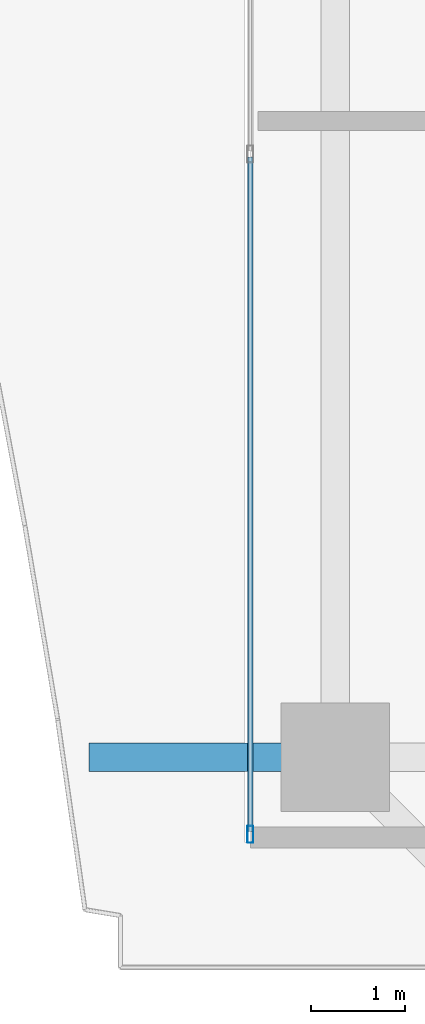
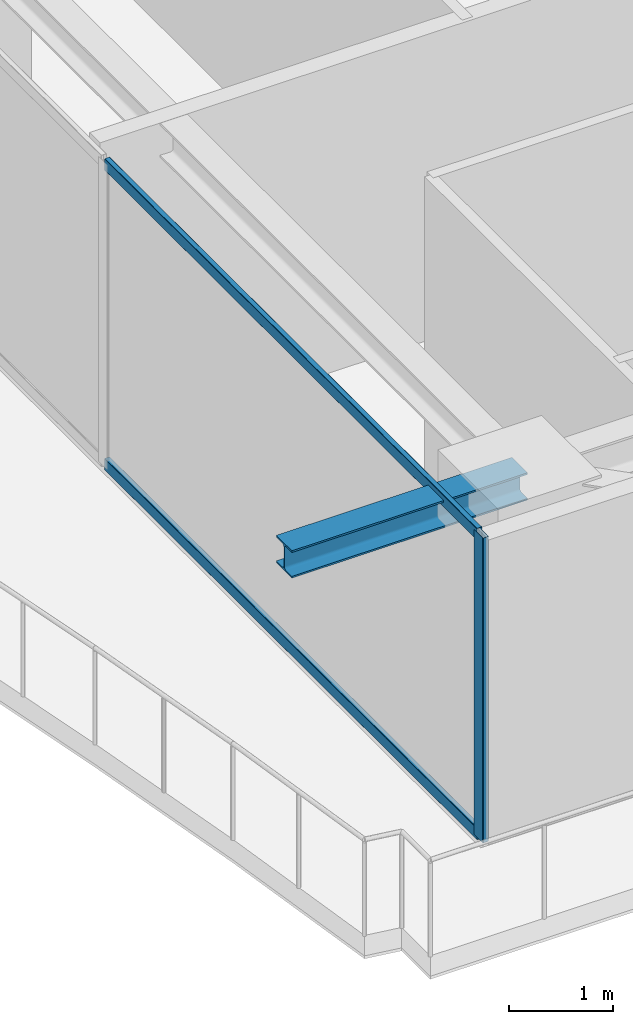
# One storey, part 3 of 37: 3 members, 1 beam, 1 element without a shape of its own.
"""IFC4 building model written with IfcOpenShell, lengths in metres."""

from ifc_helpers import new_model, si_unit, direction, frame, origin, origin_2d, place, context, subcontext, project, spatial, hollow_rectangle, i_section, extrude, source, transform, mapped, material, layer, layer_set, material_profile, profile_set, type_object, element, aggregate, save


model = new_model("IFC4")

# Units and contexts
model_context = context("Model", 3, precision=1e-05, world=origin(), true_north=direction((0.0, 1.0)))
body_context = subcontext(model_context, "Body", "Model", "MODEL_VIEW")
ifc_project = project(units=[si_unit("LENGTHUNIT", "METRE"), si_unit("AREAUNIT", "SQUARE_METRE"), si_unit("VOLUMEUNIT", "CUBIC_METRE"), si_unit("PLANEANGLEUNIT", "RADIAN"), si_unit("MASSUNIT", "GRAM", prefix="KILO")], contexts=[model_context])

# Site, building, storey
site_placement = place(None, origin())
site = spatial("IfcSite", under=ifc_project, at=site_placement, CompositionType="ELEMENT")
building_placement = place(site_placement, origin())
building = spatial("IfcBuilding", under=site, at=building_placement, Name="Serunith Strait Residences", CompositionType="ELEMENT")
storey_placement = place(building_placement, frame((0.0, 0.0, 218.14990234375)))
storey = spatial("IfcBuildingStorey", under=building, at=storey_placement, Name="L54", CompositionType="ELEMENT", Elevation=218.14990234375)

# Beam
ifc_material_1 = material(Name="Steel S355J2", Category="steel")
ifc_material_profile_1 = material_profile(ifc_material_1, i_section(OverallWidth=0.300048828125, OverallDepth=0.320068359375, WebThickness=0.011474609375, FlangeThickness=0.0205078125, FilletRadius=0.027099609375, at=origin_2d()), Name="HEB 320")
ifc_profile_set_1 = profile_set([ifc_material_profile_1], Name="Steel S355J2")
beam_type = type_object("IfcBeamType", Name="BM-HEB320", PredefinedType="BEAM", material=ifc_profile_set_1)
shared_shape_1 = source(origin(), body_context, "Body", "SweptSolid", [
    extrude(i_section(OverallWidth=0.300048828125, OverallDepth=0.320068359375, WebThickness=0.011474609375, FlangeThickness=0.0205078125, FilletRadius=0.027099609375, at=origin_2d()), origin(), (0.0, 0.0, 1.0), 2.614990234375),
])
beam_placement = place(storey_placement, frame((8.300048828125, 10.050048828125, 3.397216796875), z_axis=(-1.0, 0.0, 0.0), x_axis=(0.0, -1.0, 0.0)))
element("IfcBeam", 1, at=beam_placement, inside=storey, type_object=beam_type, Name="L55 Cantilevered Balcony Rib TC-W1", PredefinedType="BEAM", context=body_context, shape_type="MappedRepresentation", body=[
    mapped(shared_shape_1, transform((0.0, 0.0, 0.0), scale=1.0)),
])

# Curtain wall, members
ifc_material_2 = material(Name="Pale-Champagne Anodised Aluminium", Category="aluminium")
ifc_layer = layer(ifc_material_2, 0.199951171875, Name="Pale-Champagne Anodised Aluminium")
ifc_layer_set = layer_set([ifc_layer], Name="Pale-Champagne Anodised Aluminium")
curtain_wall_type = type_object("IfcCurtainWallType", Name="CW-SYS4", PredefinedType="NOTDEFINED", material=ifc_layer_set)
curtain_wall_placement = place(storey_placement, origin())
curtain_wall = element("IfcCurtainWall", 2, at=curtain_wall_placement, inside=storey, type_object=curtain_wall_type, Name="L54 W Unitised Fritted Curtain Wall", PredefinedType="NOTDEFINED")
ifc_material_profile_2 = material_profile(ifc_material_2, hollow_rectangle(XDim=0.06005859375, YDim=0.139892578125, WallThickness=0.00341796875, InnerFilletRadius=0.00537109375, OuterFilletRadius=0.0087890625, at=origin_2d()), Name="ALU 140x60x3.5")
ifc_profile_set_2 = profile_set([ifc_material_profile_2], Name="Pale-Champagne Anodised Aluminium")
member_type_1 = type_object("IfcMemberType", Name="CW-SYS4-TRAN", PredefinedType="USERDEFINED", material=ifc_profile_set_2)
shared_shape_2 = source(origin(), body_context, "Body", "SweptSolid", [
    extrude(hollow_rectangle(XDim=0.06005859375, YDim=0.139892578125, WallThickness=0.00341796875, InnerFilletRadius=0.00537109375, OuterFilletRadius=0.0087890625, at=origin_2d()), origin(), (0.0, 0.0, 1.0), 7.152587890625),
])
member_1_placement = place(storey_placement, frame((7.39990234375, 16.41748046875, 0.030029296875), z_axis=(0.0, -1.0, 0.0), x_axis=(1.0, 0.0, 0.0)))
member_1 = element("IfcMember", 3, at=member_1_placement, type_object=member_type_1, Name="CW-4 transom 2.1", ObjectType="TRANSOM", PredefinedType="USERDEFINED", context=body_context, shape_type="MappedRepresentation", body=[
    mapped(shared_shape_2, transform((0.0, 0.0, 0.0), scale=1.0)),
])
member_2_placement = place(storey_placement, frame((7.39990234375, 16.41748046875, 3.545166015625), z_axis=(0.0, -1.0, 0.0), x_axis=(1.0, 0.0, 0.0)))
member_2 = element("IfcMember", 4, at=member_2_placement, type_object=member_type_1, Name="CW-4 transom 2.2", ObjectType="TRANSOM", PredefinedType="USERDEFINED", context=body_context, shape_type="MappedRepresentation", body=[
    mapped(shared_shape_2, transform((0.0, 0.0, 0.0), scale=1.0)),
])
ifc_material_profile_3 = material_profile(ifc_material_2, hollow_rectangle(XDim=0.06494140625, YDim=0.179931640625, WallThickness=0.00341796875, InnerFilletRadius=0.00537109375, OuterFilletRadius=0.0087890625, at=origin_2d()), Name="ALU 180x65x3.5")
ifc_profile_set_3 = profile_set([ifc_material_profile_3], Name="Pale-Champagne Anodised Aluminium")
member_type_2 = type_object("IfcMemberType", Name="CW-SYS4-MULL", PredefinedType="MULLION", material=ifc_profile_set_3)
shared_shape_3 = source(origin(), body_context, "Body", "SweptSolid", [
    extrude(hollow_rectangle(XDim=0.06494140625, YDim=0.179931640625, WallThickness=0.00341796875, InnerFilletRadius=0.00537109375, OuterFilletRadius=0.0087890625, at=origin_2d()), origin(), (0.0, 0.0, 1.0), 3.5751953125),
])
member_3_placement = place(storey_placement, frame((7.39990234375, 9.232421875, 0.0), z_axis=(0.0, 0.0, 1.0), x_axis=(1.0, 0.0, 0.0)))
member_3 = element("IfcMember", 5, at=member_3_placement, type_object=member_type_2, Name="CW-4 mullion 3", PredefinedType="MULLION", context=body_context, shape_type="MappedRepresentation", body=[
    mapped(shared_shape_3, transform((0.0, 0.0, 0.0), scale=1.0)),
])
aggregate(curtain_wall, [member_3, member_1, member_2])

save(model, "model.ifc")
